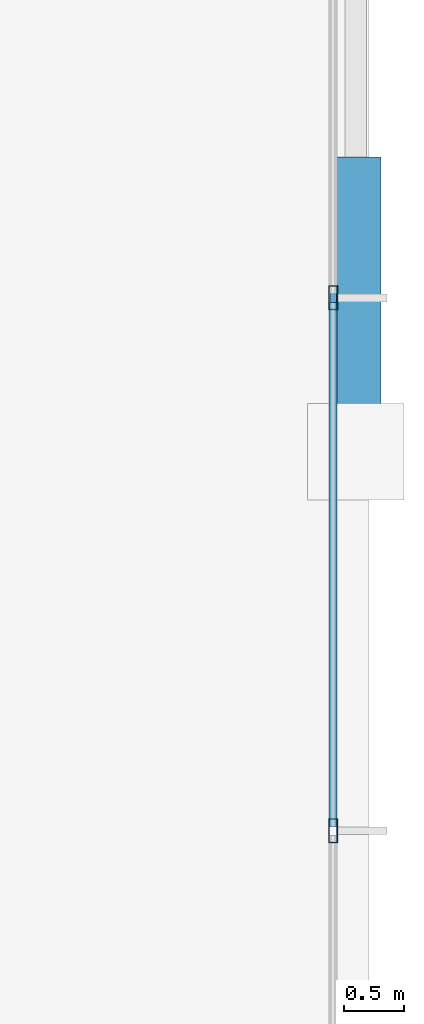
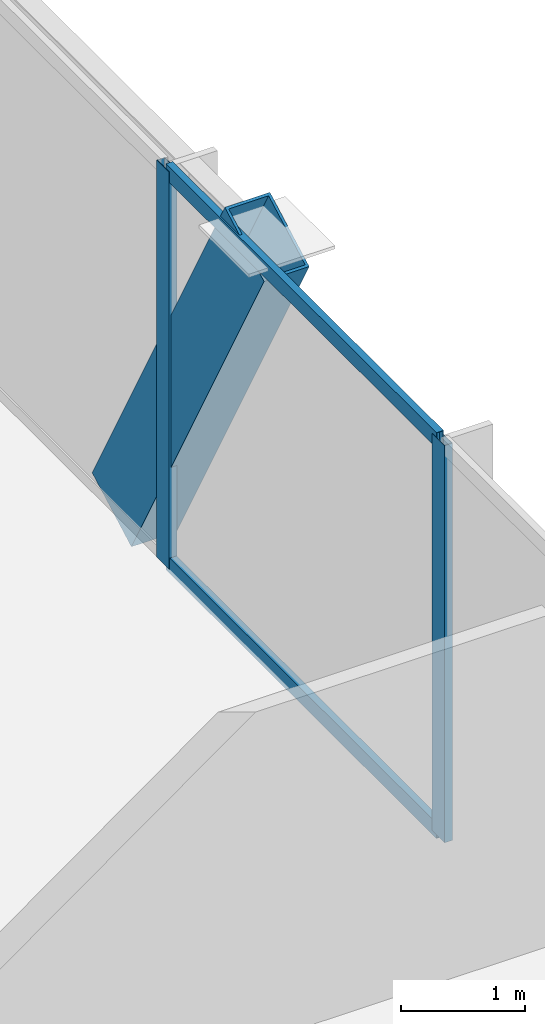
# One storey, part 21 of 46: 5 members, 1 element without a shape of its own.
"""IFC4 building model written with IfcOpenShell, lengths in metres."""

from ifc_helpers import new_model, si_unit, direction, frame, origin, origin_2d, place, context, subcontext, project, spatial, hollow_rectangle, extrude, material, layer, layer_set, material_profile, profile_set, type_object, element, aggregate, save


model = new_model("IFC4")

# Units and contexts
model_context = context("Model", 3, precision=1e-05, world=origin(), true_north=direction((0.0, 1.0)))
body_context = subcontext(model_context, "Body", "Model", "MODEL_VIEW")
ifc_project = project(units=[si_unit("LENGTHUNIT", "METRE"), si_unit("AREAUNIT", "SQUARE_METRE"), si_unit("VOLUMEUNIT", "CUBIC_METRE"), si_unit("PLANEANGLEUNIT", "RADIAN"), si_unit("MASSUNIT", "GRAM", prefix="KILO")], contexts=[model_context])

# Site, building, storey
site_placement = place(None, origin())
site = spatial("IfcSite", under=ifc_project, at=site_placement, CompositionType="ELEMENT")
building_placement = place(site_placement, origin())
building = spatial("IfcBuilding", under=site, at=building_placement, Name="Orvanel Arch Residences", CompositionType="ELEMENT")
storey_placement = place(building_placement, frame((0.0, 0.0, 14.10009765625)))
storey = spatial("IfcBuildingStorey", under=building, at=storey_placement, Name="L03", CompositionType="ELEMENT", Elevation=14.10009765625)

# Member
ifc_material_1 = material(Name="Structural steel AS/NZS 3678 Grade 350", Category="steel")
ifc_material_profile_1 = material_profile(ifc_material_1, hollow_rectangle(XDim=0.419921875, YDim=0.719970703125, WallThickness=0.02490234375, at=origin_2d()), Name="RHS720x420x25")
ifc_profile_set_1 = profile_set([ifc_material_profile_1], Name="Structural steel AS/NZS 3678 Grade 350")
member_type_1 = type_object("IfcMemberType", Name="BR-720RHS-EXT", PredefinedType="BRACE", material=ifc_profile_set_1)
member_1_placement = place(storey_placement, frame((64.639892578125, 32.783935546875, 0.0), z_axis=(0.0, -0.480032945873, 0.877250460745), x_axis=(1.0, 0.0, 0.0)))
element("IfcMember", 1, at=member_1_placement, inside=storey, type_object=member_type_1, Name="L03 Podium Multi-Storey V-Strut Pair E2 Leg 1", PredefinedType="BRACE", context=body_context, shape_type="SweptSolid", body=[
    extrude(hollow_rectangle(XDim=0.419921875, YDim=0.719970703125, WallThickness=0.02490234375, at=origin_2d()), origin(), (0.0, 0.0, 1.0), 4.445556640625),
])

# Curtain wall, members
ifc_material_2 = material(Name="Bronze-anodised aluminium AA6063-T6", Category="aluminium")
ifc_layer = layer(ifc_material_2, 0.199951171875)
ifc_layer_set = layer_set([ifc_layer], Name="Bronze-anodised aluminium AA6063-T6")
curtain_wall_type = type_object("IfcCurtainWallType", Name="CW1-POD-SYS", PredefinedType="NOTDEFINED", material=ifc_layer_set)
curtain_wall_placement = place(storey_placement, origin())
curtain_wall = element("IfcCurtainWall", 2, at=curtain_wall_placement, inside=storey, type_object=curtain_wall_type, Name="L03 CW1-POD-SYS Unitised Curtain Wall", PredefinedType="NOTDEFINED")
ifc_material_profile_2 = material_profile(ifc_material_2, hollow_rectangle(XDim=0.074951171875, YDim=0.199951171875, WallThickness=0.0048828125, at=origin_2d()), Name="ALU200x75x5")
ifc_profile_set_2 = profile_set([ifc_material_profile_2], Name="Bronze-anodised aluminium AA6063-T6")
member_type_2 = type_object("IfcMemberType", Name="MUL-200x75", PredefinedType="MULLION", material=ifc_profile_set_2)
member_2_placement = place(storey_placement, frame((64.449951171875, 27.5, 0.0), z_axis=(0.0, 0.0, 1.0), x_axis=(-1.0, 0.0, 0.0)))
member_2 = element("IfcMember", 3, at=member_2_placement, type_object=member_type_2, Name="CW-S1 mullion 3", PredefinedType="MULLION", context=body_context, shape_type="SweptSolid", body=[
    extrude(hollow_rectangle(XDim=0.074951171875, YDim=0.199951171875, WallThickness=0.0048828125, at=origin_2d()), origin(), (0.0, 0.0, 1.0), 3.89990234375),
])
member_3_placement = place(storey_placement, frame((64.449951171875, 31.929931640625, 0.0), z_axis=(0.0, 0.0, 1.0), x_axis=(-1.0, 0.0, 0.0)))
member_3 = element("IfcMember", 4, at=member_3_placement, type_object=member_type_2, Name="CW-S1 mullion 4", PredefinedType="MULLION", context=body_context, shape_type="SweptSolid", body=[
    extrude(hollow_rectangle(XDim=0.074951171875, YDim=0.199951171875, WallThickness=0.0048828125, at=origin_2d()), origin(), (0.0, 0.0, 1.0), 3.89990234375),
])
ifc_material_profile_3 = material_profile(ifc_material_2, hollow_rectangle(XDim=0.06494140625, YDim=0.14990234375, WallThickness=0.00390625, at=origin_2d()), Name="ALU150x65x4")
ifc_profile_set_3 = profile_set([ifc_material_profile_3], Name="Bronze-anodised aluminium AA6063-T6")
member_type_3 = type_object("IfcMemberType", Name="TRN-150x65", PredefinedType="USERDEFINED", material=ifc_profile_set_3)
member_4_placement = place(storey_placement, frame((64.449951171875, 27.53759765625, 0.032470703125), z_axis=(0.0, 1.0, 0.0), x_axis=(-1.0, 0.0, 0.0)))
member_4 = element("IfcMember", 5, at=member_4_placement, type_object=member_type_3, Name="CW-S1 transom 3.1", ObjectType="TRANSOM", PredefinedType="USERDEFINED", context=body_context, shape_type="SweptSolid", body=[
    extrude(hollow_rectangle(XDim=0.06494140625, YDim=0.14990234375, WallThickness=0.00390625, at=origin_2d()), origin(), (0.0, 0.0, 1.0), 4.35498046875),
])
member_5_placement = place(storey_placement, frame((64.449951171875, 27.53759765625, 3.867431640625), z_axis=(0.0, 1.0, 0.0), x_axis=(-1.0, 0.0, 0.0)))
member_5 = element("IfcMember", 6, at=member_5_placement, type_object=member_type_3, Name="CW-S1 transom 3.2", ObjectType="TRANSOM", PredefinedType="USERDEFINED", context=body_context, shape_type="SweptSolid", body=[
    extrude(hollow_rectangle(XDim=0.06494140625, YDim=0.14990234375, WallThickness=0.00390625, at=origin_2d()), origin(), (0.0, 0.0, 1.0), 4.35498046875),
])
aggregate(curtain_wall, [member_2, member_3, member_4, member_5])

save(model, "model.ifc")
